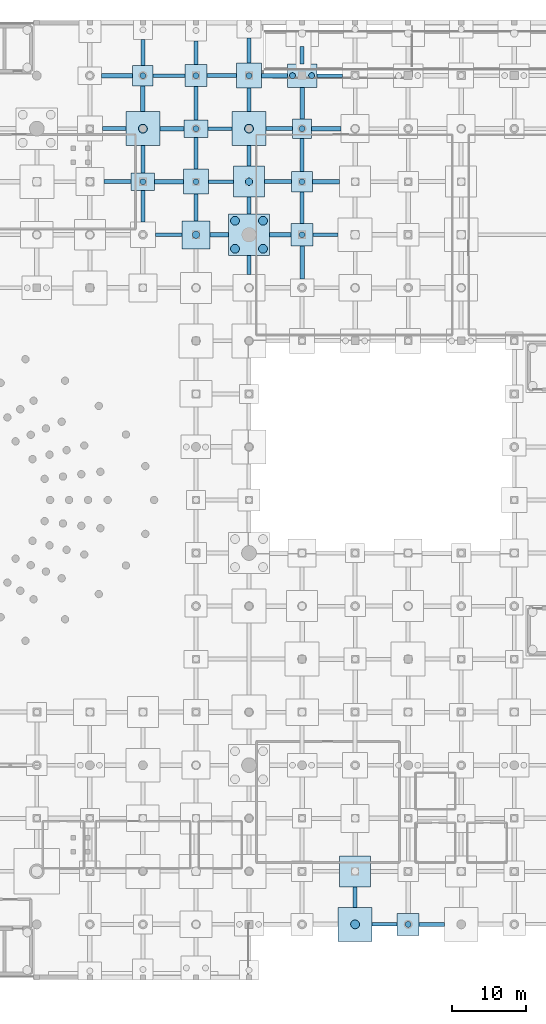
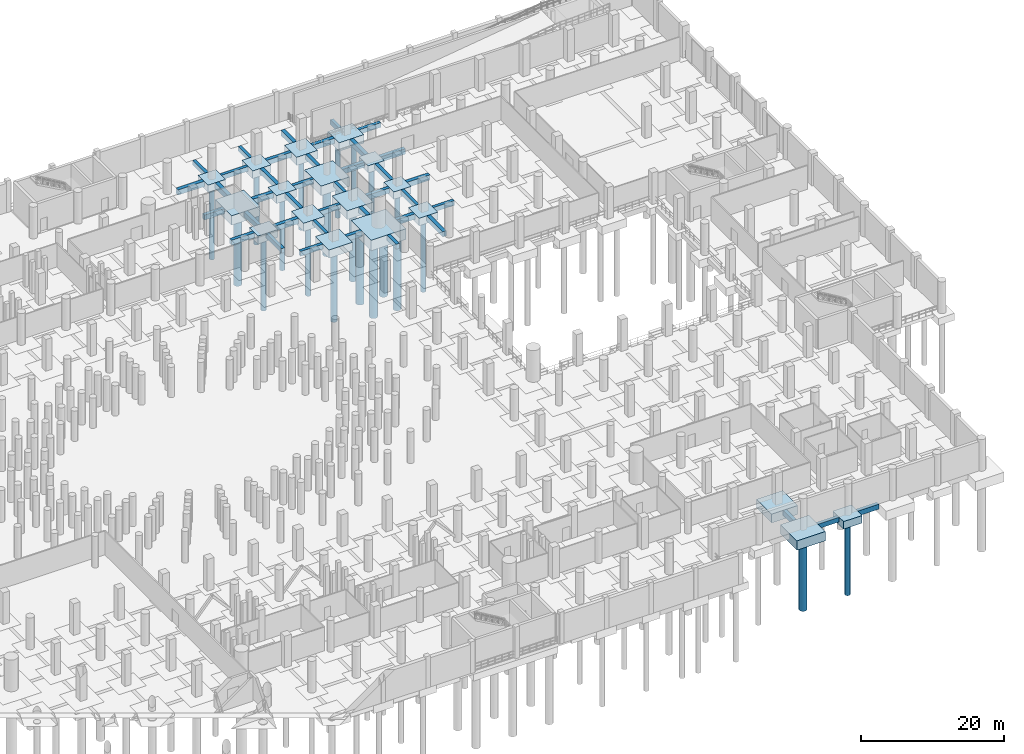
# One storey, part 11 of 37: 58 footings, 21 piles.
"""IFC4 building model written with IfcOpenShell, lengths in metres."""

from ifc_helpers import new_model, si_unit, direction, frame, origin, origin_2d, place, context, subcontext, project, spatial, rectangle, circle, extrude, material, material_profile, profile_set, type_object, element, save


model = new_model("IFC4")

# Units and contexts
model_context = context("Model", 3, precision=1e-05, world=origin(), true_north=direction((0.0, 1.0)))
body_context = subcontext(model_context, "Body", "Model", "MODEL_VIEW")
ifc_project = project(units=[si_unit("LENGTHUNIT", "METRE"), si_unit("AREAUNIT", "SQUARE_METRE"), si_unit("VOLUMEUNIT", "CUBIC_METRE"), si_unit("PLANEANGLEUNIT", "RADIAN"), si_unit("MASSUNIT", "GRAM", prefix="KILO")], contexts=[model_context])

# Site, building, storey
site_placement = place(None, origin())
site = spatial("IfcSite", under=ifc_project, at=site_placement, CompositionType="ELEMENT")
building_placement = place(site_placement, origin())
building = spatial("IfcBuilding", under=site, at=building_placement, Name="Qandorah Velis Arena", CompositionType="ELEMENT")
storey_placement = place(building_placement, frame((0.0, 0.0, -5.39990234375)))
storey = spatial("IfcBuildingStorey", under=building, at=storey_placement, Name="B1", CompositionType="ELEMENT", Elevation=-5.39990234375)

# Footings
ifc_material = material(Name="Concrete C40/50", Category="concrete")
footing_type_1 = type_object("IfcFootingType", Name="STR-CAP-PC10", PredefinedType="PILE_CAP", material=ifc_material)
footing_1_placement = place(storey_placement, frame((122.39990234375, 115.199951171875, -1.2001953125), z_axis=(0.0, 0.0, 1.0), x_axis=(1.0, 0.0, 0.0)))
element("IfcFooting", 1, at=footing_1_placement, inside=storey, type_object=footing_type_1, Name="Pile cap CAP-B1-257", PredefinedType="PILE_CAP", context=body_context, shape_type="SweptSolid", body=[
    extrude(rectangle(XDim=2.60009765625, YDim=2.60009765625, at=origin_2d()), origin(), (0.0, 0.0, 1.0), 1.199951171875),
])
footing_type_2 = type_object("IfcFootingType", Name="STR-CAP-PC14", PredefinedType="PILE_CAP", material=ifc_material)
footing_2_placement = place(storey_placement, frame((122.39990234375, 122.39990234375, -1.4501953125), z_axis=(0.0, 0.0, 1.0), x_axis=(1.0, 0.0, 0.0)))
element("IfcFooting", 2, at=footing_2_placement, inside=storey, type_object=footing_type_2, Name="Pile cap CAP-B1-258", PredefinedType="PILE_CAP", context=body_context, shape_type="SweptSolid", body=[
    extrude(rectangle(XDim=4.0, YDim=3.199951171875, at=origin_2d()), origin(), (0.0, 0.0, 1.0), 1.449951171875),
])
footing_type_3 = type_object("IfcFootingType", Name="STR-CAP-PC2", PredefinedType="PILE_CAP", material=ifc_material)
footing_3_placement = place(storey_placement, frame((115.199951171875, 100.800048828125, -1.80029296875), z_axis=(0.0, 0.0, 1.0), x_axis=(1.0, 0.0, 0.0)))
element("IfcFooting", 3, at=footing_3_placement, inside=storey, type_object=footing_type_3, Name="Pile cap CAP-B1-240", PredefinedType="PILE_CAP", context=body_context, shape_type="SweptSolid", body=[
    extrude(rectangle(XDim=5.60009765625, YDim=5.60009765625, at=origin_2d()), origin(), (0.0, 0.0, 1.0), 1.800048828125),
])
footing_type_4 = type_object("IfcFootingType", Name="STR-CAP-PC3", PredefinedType="PILE_CAP", material=ifc_material)
for number, where, z_axis, x_axis, name in (
    (4, (100.800048828125, 115.199951171875, -1.60009765625), (0.0, 0.0, 1.0), (1.0, 0.0, 0.0), "Pile cap CAP-B1-205"),
    (5, (115.199951171875, 115.199951171875, -1.60009765625), (0.0, 0.0, 1.0), (1.0, 0.0, 0.0), "Pile cap CAP-B1-242"),
    (6, (129.60009765625, 7.199951171875, -1.60009765625), (0.0, 0.0, 1.0), (1.0, 0.0, 0.0), "Pile cap CAP-B1-260"),
):
    element("IfcFooting", number, at=place(storey_placement, frame(where, z_axis=z_axis, x_axis=x_axis)), inside=storey, type_object=footing_type_4, Name=name, PredefinedType="PILE_CAP", context=body_context, shape_type="SweptSolid", body=[
        extrude(rectangle(XDim=4.60009765625, YDim=4.60009765625, at=origin_2d()), origin(), (0.0, 0.0, 1.0), 1.60009765625),
    ])
footing_type_5 = type_object("IfcFootingType", Name="STR-CAP-PC4", PredefinedType="PILE_CAP", material=ifc_material)
for number, where, z_axis, x_axis, name in (
    (7, (115.199951171875, 108.0, -1.5), (0.0, 0.0, 1.0), (1.0, 0.0, 0.0), "Pile cap CAP-B1-241"),
    (8, (129.60009765625, 14.39990234375, -1.5), (0.0, 0.0, 1.0), (1.0, 0.0, 0.0), "Pile cap CAP-B1-261"),
):
    element("IfcFooting", number, at=place(storey_placement, frame(where, z_axis=z_axis, x_axis=x_axis)), inside=storey, type_object=footing_type_5, Name=name, PredefinedType="PILE_CAP", context=body_context, shape_type="SweptSolid", body=[
        extrude(rectangle(XDim=4.199951171875, YDim=4.199951171875, at=origin_2d()), origin(), (0.0, 0.0, 1.0), 1.5),
    ])
footing_type_6 = type_object("IfcFootingType", Name="STR-CAP-PC5", PredefinedType="PILE_CAP", material=ifc_material)
footing_4_placement = place(storey_placement, frame((108.0, 100.800048828125, -1.400146484375), z_axis=(0.0, 0.0, 1.0), x_axis=(1.0, 0.0, 0.0)))
element("IfcFooting", 9, at=footing_4_placement, inside=storey, type_object=footing_type_6, Name="Pile cap CAP-B1-222", PredefinedType="PILE_CAP", context=body_context, shape_type="SweptSolid", body=[
    extrude(rectangle(XDim=3.800048828125, YDim=3.800048828125, at=origin_2d()), origin(), (0.0, 0.0, 1.0), 1.39990234375),
])
footing_type_7 = type_object("IfcFootingType", Name="STR-CAP-PC6", PredefinedType="PILE_CAP", material=ifc_material)
for number, where, z_axis, x_axis, name in (
    (10, (108.0, 108.0, -1.400146484375), (0.0, 0.0, 1.0), (1.0, 0.0, 0.0), "Pile cap CAP-B1-223"),
    (11, (115.199951171875, 122.39990234375, -1.400146484375), (0.0, 0.0, 1.0), (1.0, 0.0, 0.0), "Pile cap CAP-B1-243"),
):
    element("IfcFooting", number, at=place(storey_placement, frame(where, z_axis=z_axis, x_axis=x_axis)), inside=storey, type_object=footing_type_7, Name=name, PredefinedType="PILE_CAP", context=body_context, shape_type="SweptSolid", body=[
        extrude(rectangle(XDim=3.39990234375, YDim=3.39990234375, at=origin_2d()), origin(), (0.0, 0.0, 1.0), 1.39990234375),
    ])
footing_type_8 = type_object("IfcFootingType", Name="STR-CAP-PC7", PredefinedType="PILE_CAP", material=ifc_material)
for number, where, z_axis, x_axis, name in (
    (12, (100.800048828125, 108.0, -1.35009765625), (0.0, 0.0, 1.0), (1.0, 0.0, 0.0), "Pile cap CAP-B1-204"),
    (13, (108.0, 115.199951171875, -1.35009765625), (0.0, 0.0, 1.0), (1.0, 0.0, 0.0), "Pile cap CAP-B1-224"),
):
    element("IfcFooting", number, at=place(storey_placement, frame(where, z_axis=z_axis, x_axis=x_axis)), inside=storey, type_object=footing_type_8, Name=name, PredefinedType="PILE_CAP", context=body_context, shape_type="SweptSolid", body=[
        extrude(rectangle(XDim=3.199951171875, YDim=2.39990234375, at=origin_2d()), origin(), (0.0, 0.0, 1.0), 1.35009765625),
    ])
footing_type_9 = type_object("IfcFootingType", Name="STR-CAP-PC8", PredefinedType="PILE_CAP", material=ifc_material)
for number, where, z_axis, x_axis, name in (
    (14, (108.0, 122.39990234375, -1.30029296875), (0.0, 0.0, 1.0), (1.0, 0.0, 0.0), "Pile cap CAP-B1-225"),
    (15, (122.39990234375, 100.800048828125, -1.30029296875), (0.0, 0.0, 1.0), (1.0, 0.0, 0.0), "Pile cap CAP-B1-255"),
    (16, (136.800048828125, 7.199951171875, -1.30029296875), (0.0, 0.0, 1.0), (1.0, 0.0, 0.0), "Pile cap CAP-B1-275"),
):
    element("IfcFooting", number, at=place(storey_placement, frame(where, z_axis=z_axis, x_axis=x_axis)), inside=storey, type_object=footing_type_9, Name=name, PredefinedType="PILE_CAP", context=body_context, shape_type="SweptSolid", body=[
        extrude(rectangle(XDim=3.0, YDim=3.0, at=origin_2d()), origin(), (0.0, 0.0, 1.0), 1.300048828125),
    ])
footing_type_10 = type_object("IfcFootingType", Name="STR-CAP-PC9", PredefinedType="PILE_CAP", material=ifc_material)
for number, where, z_axis, x_axis, name in (
    (17, (100.800048828125, 122.39990234375, -1.25), (0.0, 0.0, 1.0), (1.0, 0.0, 0.0), "Pile cap CAP-B1-206"),
    (18, (122.39990234375, 108.0, -1.25), (0.0, 0.0, 1.0), (1.0, 0.0, 0.0), "Pile cap CAP-B1-256"),
):
    element("IfcFooting", number, at=place(storey_placement, frame(where, z_axis=z_axis, x_axis=x_axis)), inside=storey, type_object=footing_type_10, Name=name, PredefinedType="PILE_CAP", context=body_context, shape_type="SweptSolid", body=[
        extrude(rectangle(XDim=2.800048828125, YDim=2.800048828125, at=origin_2d()), origin(), (0.0, 0.0, 1.0), 1.25),
    ])
ifc_material_profile_1 = material_profile(ifc_material, rectangle(XDim=0.60009765625, YDim=0.89990234375, at=origin_2d()), Name="GB1 600x900")
ifc_profile_set_1 = profile_set([ifc_material_profile_1], Name="Concrete C40/50")
footing_type_11 = type_object("IfcFootingType", Name="STR-GB-FB1", PredefinedType="FOOTING_BEAM", material=ifc_profile_set_1)
footing_5_placement = place(storey_placement, frame((100.800048828125, 117.5, -0.4501953125), z_axis=(0.0, 1.0, 0.0), x_axis=(-1.0, 0.0, 0.0)))
element("IfcFooting", 19, at=footing_5_placement, inside=storey, type_object=footing_type_11, Name="Ground tie beam GB-141", PredefinedType="FOOTING_BEAM", context=body_context, shape_type="SweptSolid", body=[
    extrude(rectangle(XDim=0.60009765625, YDim=0.89990234375, at=origin_2d()), origin(), (0.0, 0.0, 1.0), 3.5),
])
footing_6_placement = place(storey_placement, frame((108.0, 116.39990234375, -0.4501953125), z_axis=(0.0, 1.0, 0.0), x_axis=(-1.0, 0.0, 0.0)))
element("IfcFooting", 20, at=footing_6_placement, inside=storey, type_object=footing_type_11, Name="Ground tie beam GB-159", PredefinedType="FOOTING_BEAM", context=body_context, shape_type="SweptSolid", body=[
    extrude(rectangle(XDim=0.60009765625, YDim=0.89990234375, at=origin_2d()), origin(), (0.0, 0.0, 1.0), 4.5),
])
footing_7_placement = place(storey_placement, frame((115.199951171875, 103.60009765625, -0.4501953125), z_axis=(0.0, 1.0, 0.0), x_axis=(-1.0, 0.0, 0.0)))
element("IfcFooting", 21, at=footing_7_placement, inside=storey, type_object=footing_type_11, Name="Ground tie beam GB-174", PredefinedType="FOOTING_BEAM", context=body_context, shape_type="SweptSolid", body=[
    extrude(rectangle(XDim=0.60009765625, YDim=0.89990234375, at=origin_2d()), origin(), (0.0, 0.0, 1.0), 2.2998046875),
])
footing_8_placement = place(storey_placement, frame((115.199951171875, 124.10009765625, -0.4501953125), z_axis=(0.0, 1.0, 0.0), x_axis=(-1.0, 0.0, 0.0)))
element("IfcFooting", 22, at=footing_8_placement, inside=storey, type_object=footing_type_11, Name="Ground tie beam GB-177", PredefinedType="FOOTING_BEAM", context=body_context, shape_type="SweptSolid", body=[
    extrude(rectangle(XDim=0.60009765625, YDim=0.89990234375, at=origin_2d()), origin(), (0.0, 0.0, 1.0), 3.419921875),
])
footing_9_placement = place(storey_placement, frame((122.39990234375, 94.800048828125, -0.4501953125), z_axis=(0.0, 1.0, 0.0), x_axis=(-1.0, 0.0, 0.0)))
element("IfcFooting", 23, at=footing_9_placement, inside=storey, type_object=footing_type_11, Name="Ground tie beam GB-186", PredefinedType="FOOTING_BEAM", context=body_context, shape_type="SweptSolid", body=[
    extrude(rectangle(XDim=0.60009765625, YDim=0.89990234375, at=origin_2d()), origin(), (0.0, 0.0, 1.0), 4.5),
])
footing_10_placement = place(storey_placement, frame((122.39990234375, 116.5, -0.4501953125), z_axis=(0.0, 1.0, 0.0), x_axis=(-1.0, 0.0, 0.0)))
element("IfcFooting", 24, at=footing_10_placement, inside=storey, type_object=footing_type_11, Name="Ground tie beam GB-189", PredefinedType="FOOTING_BEAM", context=body_context, shape_type="SweptSolid", body=[
    extrude(rectangle(XDim=0.60009765625, YDim=0.89990234375, at=origin_2d()), origin(), (0.0, 0.0, 1.0), 4.300048828125),
])
footing_11_placement = place(storey_placement, frame((118.0, 100.800048828125, -0.4501953125), z_axis=(1.0, 0.0, 0.0), x_axis=(0.0, 1.0, 0.0)))
element("IfcFooting", 25, at=footing_11_placement, inside=storey, type_object=footing_type_11, Name="Ground tie beam GB-462", PredefinedType="FOOTING_BEAM", context=body_context, shape_type="SweptSolid", body=[
    extrude(rectangle(XDim=0.60009765625, YDim=0.89990234375, at=origin_2d()), origin(), (0.0, 0.0, 1.0), 2.89990234375),
])
footing_12_placement = place(storey_placement, frame((102.39990234375, 108.0, -0.4501953125), z_axis=(1.0, 0.0, 0.0), x_axis=(0.0, 1.0, 0.0)))
element("IfcFooting", 26, at=footing_12_placement, inside=storey, type_object=footing_type_11, Name="Ground tie beam GB-483", PredefinedType="FOOTING_BEAM", context=body_context, shape_type="SweptSolid", body=[
    extrude(rectangle(XDim=0.60009765625, YDim=0.89990234375, at=origin_2d()), origin(), (0.0, 0.0, 1.0), 3.900146484375),
])
footing_13_placement = place(storey_placement, frame((123.800048828125, 108.0, -0.4501953125), z_axis=(1.0, 0.0, 0.0), x_axis=(0.0, 1.0, 0.0)))
element("IfcFooting", 27, at=footing_13_placement, inside=storey, type_object=footing_type_11, Name="Ground tie beam GB-486", PredefinedType="FOOTING_BEAM", context=body_context, shape_type="SweptSolid", body=[
    extrude(rectangle(XDim=0.60009765625, YDim=0.89990234375, at=origin_2d()), origin(), (0.0, 0.0, 1.0), 3.699951171875),
])
footing_14_placement = place(storey_placement, frame((103.10009765625, 115.199951171875, -0.4501953125), z_axis=(1.0, 0.0, 0.0), x_axis=(0.0, 1.0, 0.0)))
element("IfcFooting", 28, at=footing_14_placement, inside=storey, type_object=footing_type_11, Name="Ground tie beam GB-504", PredefinedType="FOOTING_BEAM", context=body_context, shape_type="SweptSolid", body=[
    extrude(rectangle(XDim=0.60009765625, YDim=0.89990234375, at=origin_2d()), origin(), (0.0, 0.0, 1.0), 3.2998046875),
])
footing_15_placement = place(storey_placement, frame((123.699951171875, 115.199951171875, -0.4501953125), z_axis=(1.0, 0.0, 0.0), x_axis=(0.0, 1.0, 0.0)))
element("IfcFooting", 29, at=footing_15_placement, inside=storey, type_object=footing_type_11, Name="Ground tie beam GB-507", PredefinedType="FOOTING_BEAM", context=body_context, shape_type="SweptSolid", body=[
    extrude(rectangle(XDim=0.60009765625, YDim=0.89990234375, at=origin_2d()), origin(), (0.0, 0.0, 1.0), 4.0),
])
footing_16_placement = place(storey_placement, frame((95.199951171875, 122.39990234375, -0.4501953125), z_axis=(1.0, 0.0, 0.0), x_axis=(0.0, 1.0, 0.0)))
element("IfcFooting", 30, at=footing_16_placement, inside=storey, type_object=footing_type_11, Name="Ground tie beam GB-519", PredefinedType="FOOTING_BEAM", context=body_context, shape_type="SweptSolid", body=[
    extrude(rectangle(XDim=0.60009765625, YDim=0.89990234375, at=origin_2d()), origin(), (0.0, 0.0, 1.0), 4.199951171875),
])
footing_17_placement = place(storey_placement, frame((116.89990234375, 122.39990234375, -0.4501953125), z_axis=(1.0, 0.0, 0.0), x_axis=(0.0, 1.0, 0.0)))
element("IfcFooting", 31, at=footing_17_placement, inside=storey, type_object=footing_type_11, Name="Ground tie beam GB-522", PredefinedType="FOOTING_BEAM", context=body_context, shape_type="SweptSolid", body=[
    extrude(rectangle(XDim=0.60009765625, YDim=0.89990234375, at=origin_2d()), origin(), (0.0, 0.0, 1.0), 3.5),
])
ifc_material_profile_2 = material_profile(ifc_material, rectangle(XDim=0.5, YDim=0.800048828125, at=origin_2d()), Name="GB2 500x800")
ifc_profile_set_2 = profile_set([ifc_material_profile_2], Name="Concrete C40/50")
footing_type_12 = type_object("IfcFootingType", Name="STR-GB-FB2", PredefinedType="FOOTING_BEAM", material=ifc_profile_set_2)
footing_18_placement = place(storey_placement, frame((100.800048828125, 102.5, -0.400146484375), z_axis=(0.0, 1.0, 0.0), x_axis=(-1.0, 0.0, 0.0)))
element("IfcFooting", 32, at=footing_18_placement, inside=storey, type_object=footing_type_12, Name="Ground tie beam GB-139", PredefinedType="FOOTING_BEAM", context=body_context, shape_type="SweptSolid", body=[
    extrude(rectangle(XDim=0.5, YDim=0.800048828125, at=origin_2d()), origin(), (0.0, 0.0, 1.0), 4.300048828125),
])
footing_19_placement = place(storey_placement, frame((100.800048828125, 123.800048828125, -0.400146484375), z_axis=(0.0, 1.0, 0.0), x_axis=(-1.0, 0.0, 0.0)))
element("IfcFooting", 33, at=footing_19_placement, inside=storey, type_object=footing_type_12, Name="Ground tie beam GB-142", PredefinedType="FOOTING_BEAM", context=body_context, shape_type="SweptSolid", body=[
    extrude(rectangle(XDim=0.5, YDim=0.800048828125, at=origin_2d()), origin(), (0.0, 0.0, 1.0), 3.52001953125),
])
footing_20_placement = place(storey_placement, frame((108.0, 102.699951171875, -0.400146484375), z_axis=(0.0, 1.0, 0.0), x_axis=(-1.0, 0.0, 0.0)))
element("IfcFooting", 34, at=footing_20_placement, inside=storey, type_object=footing_type_12, Name="Ground tie beam GB-157", PredefinedType="FOOTING_BEAM", context=body_context, shape_type="SweptSolid", body=[
    extrude(rectangle(XDim=0.5, YDim=0.800048828125, at=origin_2d()), origin(), (0.0, 0.0, 1.0), 3.60009765625),
])
footing_21_placement = place(storey_placement, frame((108.0, 123.89990234375, -0.400146484375), z_axis=(0.0, 1.0, 0.0), x_axis=(-1.0, 0.0, 0.0)))
element("IfcFooting", 35, at=footing_21_placement, inside=storey, type_object=footing_type_12, Name="Ground tie beam GB-160", PredefinedType="FOOTING_BEAM", context=body_context, shape_type="SweptSolid", body=[
    extrude(rectangle(XDim=0.5, YDim=0.800048828125, at=origin_2d()), origin(), (0.0, 0.0, 1.0), 3.22021484375),
])
footing_22_placement = place(storey_placement, frame((115.199951171875, 110.10009765625, -0.400146484375), z_axis=(0.0, 1.0, 0.0), x_axis=(-1.0, 0.0, 0.0)))
element("IfcFooting", 36, at=footing_22_placement, inside=storey, type_object=footing_type_12, Name="Ground tie beam GB-175", PredefinedType="FOOTING_BEAM", context=body_context, shape_type="SweptSolid", body=[
    extrude(rectangle(XDim=0.5, YDim=0.800048828125, at=origin_2d()), origin(), (0.0, 0.0, 1.0), 2.7998046875),
])
footing_23_placement = place(storey_placement, frame((122.39990234375, 102.300048828125, -0.400146484375), z_axis=(0.0, 1.0, 0.0), x_axis=(-1.0, 0.0, 0.0)))
element("IfcFooting", 37, at=footing_23_placement, inside=storey, type_object=footing_type_12, Name="Ground tie beam GB-187", PredefinedType="FOOTING_BEAM", context=body_context, shape_type="SweptSolid", body=[
    extrude(rectangle(XDim=0.5, YDim=0.800048828125, at=origin_2d()), origin(), (0.0, 0.0, 1.0), 4.300048828125),
])
footing_24_placement = place(storey_placement, frame((122.39990234375, 124.0, -0.400146484375), z_axis=(0.0, 1.0, 0.0), x_axis=(-1.0, 0.0, 0.0)))
element("IfcFooting", 38, at=footing_24_placement, inside=storey, type_object=footing_type_12, Name="Ground tie beam GB-190", PredefinedType="FOOTING_BEAM", context=body_context, shape_type="SweptSolid", body=[
    extrude(rectangle(XDim=0.5, YDim=0.800048828125, at=origin_2d()), origin(), (0.0, 0.0, 1.0), 2.320068359375),
])
footing_25_placement = place(storey_placement, frame((131.89990234375, 7.199951171875, -0.400146484375), z_axis=(1.0, 0.0, 0.0), x_axis=(0.0, 1.0, 0.0)))
element("IfcFooting", 39, at=footing_25_placement, inside=storey, type_object=footing_type_12, Name="Ground tie beam GB-289", PredefinedType="FOOTING_BEAM", context=body_context, shape_type="SweptSolid", body=[
    extrude(rectangle(XDim=0.5, YDim=0.800048828125, at=origin_2d()), origin(), (0.0, 0.0, 1.0), 3.400146484375),
])
footing_26_placement = place(storey_placement, frame((102.5, 100.800048828125, -0.400146484375), z_axis=(1.0, 0.0, 0.0), x_axis=(0.0, 1.0, 0.0)))
element("IfcFooting", 40, at=footing_26_placement, inside=storey, type_object=footing_type_12, Name="Ground tie beam GB-460", PredefinedType="FOOTING_BEAM", context=body_context, shape_type="SweptSolid", body=[
    extrude(rectangle(XDim=0.5, YDim=0.800048828125, at=origin_2d()), origin(), (0.0, 0.0, 1.0), 3.60009765625),
])
for number, where, z_axis, x_axis, name in (
    (41, (123.89990234375, 100.800048828125, -0.400146484375), (1.0, 0.0, 0.0), (0.0, 1.0, 0.0), "Ground tie beam GB-463"),
    (42, (109.699951171875, 108.0, -0.400146484375), (1.0, 0.0, 0.0), (0.0, 1.0, 0.0), "Ground tie beam GB-484"),
):
    element("IfcFooting", number, at=place(storey_placement, frame(where, z_axis=z_axis, x_axis=x_axis)), inside=storey, type_object=footing_type_12, Name=name, PredefinedType="FOOTING_BEAM", context=body_context, shape_type="SweptSolid", body=[
        extrude(rectangle(XDim=0.5, YDim=0.800048828125, at=origin_2d()), origin(), (0.0, 0.0, 1.0), 3.400146484375),
    ])
footing_27_placement = place(storey_placement, frame((109.60009765625, 115.199951171875, -0.400146484375), z_axis=(1.0, 0.0, 0.0), x_axis=(0.0, 1.0, 0.0)))
element("IfcFooting", 43, at=footing_27_placement, inside=storey, type_object=footing_type_12, Name="Ground tie beam GB-505", PredefinedType="FOOTING_BEAM", context=body_context, shape_type="SweptSolid", body=[
    extrude(rectangle(XDim=0.5, YDim=0.800048828125, at=origin_2d()), origin(), (0.0, 0.0, 1.0), 3.2998046875),
])
footing_28_placement = place(storey_placement, frame((102.199951171875, 122.39990234375, -0.400146484375), z_axis=(1.0, 0.0, 0.0), x_axis=(0.0, 1.0, 0.0)))
element("IfcFooting", 44, at=footing_28_placement, inside=storey, type_object=footing_type_12, Name="Ground tie beam GB-520", PredefinedType="FOOTING_BEAM", context=body_context, shape_type="SweptSolid", body=[
    extrude(rectangle(XDim=0.5, YDim=0.800048828125, at=origin_2d()), origin(), (0.0, 0.0, 1.0), 4.300048828125),
])
footing_29_placement = place(storey_placement, frame((124.39990234375, 122.39990234375, -0.400146484375), z_axis=(1.0, 0.0, 0.0), x_axis=(0.0, 1.0, 0.0)))
element("IfcFooting", 45, at=footing_29_placement, inside=storey, type_object=footing_type_12, Name="Ground tie beam GB-523", PredefinedType="FOOTING_BEAM", context=body_context, shape_type="SweptSolid", body=[
    extrude(rectangle(XDim=0.5, YDim=0.800048828125, at=origin_2d()), origin(), (0.0, 0.0, 1.0), 3.5),
])
ifc_material_profile_3 = material_profile(ifc_material, rectangle(XDim=0.550048828125, YDim=0.85009765625, at=origin_2d()), Name="GB3 550x850")
ifc_profile_set_3 = profile_set([ifc_material_profile_3], Name="Concrete C40/50")
footing_type_13 = type_object("IfcFootingType", Name="STR-GB-FB3", PredefinedType="FOOTING_BEAM", material=ifc_profile_set_3)
footing_30_placement = place(storey_placement, frame((100.800048828125, 109.199951171875, -0.425048828125), z_axis=(0.0, 1.0, 0.0), x_axis=(-1.0, 0.0, 0.0)))
element("IfcFooting", 46, at=footing_30_placement, inside=storey, type_object=footing_type_13, Name="Ground tie beam GB-140", PredefinedType="FOOTING_BEAM", context=body_context, shape_type="SweptSolid", body=[
    extrude(rectangle(XDim=0.550048828125, YDim=0.85009765625, at=origin_2d()), origin(), (0.0, 0.0, 1.0), 3.699951171875),
])
footing_31_placement = place(storey_placement, frame((108.0, 109.699951171875, -0.425048828125), z_axis=(0.0, 1.0, 0.0), x_axis=(-1.0, 0.0, 0.0)))
element("IfcFooting", 47, at=footing_31_placement, inside=storey, type_object=footing_type_13, Name="Ground tie beam GB-158", PredefinedType="FOOTING_BEAM", context=body_context, shape_type="SweptSolid", body=[
    extrude(rectangle(XDim=0.550048828125, YDim=0.85009765625, at=origin_2d()), origin(), (0.0, 0.0, 1.0), 4.300048828125),
])
footing_32_placement = place(storey_placement, frame((115.199951171875, 95.39990234375, -0.425048828125), z_axis=(0.0, 1.0, 0.0), x_axis=(-1.0, 0.0, 0.0)))
element("IfcFooting", 48, at=footing_32_placement, inside=storey, type_object=footing_type_13, Name="Ground tie beam GB-173", PredefinedType="FOOTING_BEAM", context=body_context, shape_type="SweptSolid", body=[
    extrude(rectangle(XDim=0.550048828125, YDim=0.85009765625, at=origin_2d()), origin(), (0.0, 0.0, 1.0), 2.60009765625),
])
footing_33_placement = place(storey_placement, frame((115.199951171875, 117.5, -0.425048828125), z_axis=(0.0, 1.0, 0.0), x_axis=(-1.0, 0.0, 0.0)))
element("IfcFooting", 49, at=footing_33_placement, inside=storey, type_object=footing_type_13, Name="Ground tie beam GB-176", PredefinedType="FOOTING_BEAM", context=body_context, shape_type="SweptSolid", body=[
    extrude(rectangle(XDim=0.550048828125, YDim=0.85009765625, at=origin_2d()), origin(), (0.0, 0.0, 1.0), 3.199951171875),
])
footing_34_placement = place(storey_placement, frame((122.39990234375, 109.39990234375, -0.425048828125), z_axis=(0.0, 1.0, 0.0), x_axis=(-1.0, 0.0, 0.0)))
element("IfcFooting", 50, at=footing_34_placement, inside=storey, type_object=footing_type_13, Name="Ground tie beam GB-188", PredefinedType="FOOTING_BEAM", context=body_context, shape_type="SweptSolid", body=[
    extrude(rectangle(XDim=0.550048828125, YDim=0.85009765625, at=origin_2d()), origin(), (0.0, 0.0, 1.0), 4.5),
])
footing_35_placement = place(storey_placement, frame((129.60009765625, 9.5, -0.425048828125), z_axis=(0.0, 1.0, 0.0), x_axis=(-1.0, 0.0, 0.0)))
element("IfcFooting", 51, at=footing_35_placement, inside=storey, type_object=footing_type_13, Name="Ground tie beam GB-191", PredefinedType="FOOTING_BEAM", context=body_context, shape_type="SweptSolid", body=[
    extrude(rectangle(XDim=0.550048828125, YDim=0.85009765625, at=origin_2d()), origin(), (0.0, 0.0, 1.0), 2.800048828125),
])
footing_36_placement = place(storey_placement, frame((138.300048828125, 7.199951171875, -0.425048828125), z_axis=(1.0, 0.0, 0.0), x_axis=(0.0, 1.0, 0.0)))
element("IfcFooting", 52, at=footing_36_placement, inside=storey, type_object=footing_type_13, Name="Ground tie beam GB-290", PredefinedType="FOOTING_BEAM", context=body_context, shape_type="SweptSolid", body=[
    extrude(rectangle(XDim=0.550048828125, YDim=0.85009765625, at=origin_2d()), origin(), (0.0, 0.0, 1.0), 3.39990234375),
])
footing_37_placement = place(storey_placement, frame((109.89990234375, 100.800048828125, -0.425048828125), z_axis=(1.0, 0.0, 0.0), x_axis=(0.0, 1.0, 0.0)))
element("IfcFooting", 53, at=footing_37_placement, inside=storey, type_object=footing_type_13, Name="Ground tie beam GB-461", PredefinedType="FOOTING_BEAM", context=body_context, shape_type="SweptSolid", body=[
    extrude(rectangle(XDim=0.550048828125, YDim=0.85009765625, at=origin_2d()), origin(), (0.0, 0.0, 1.0), 2.5),
])
for number, where, z_axis, x_axis, name in (
    (54, (95.5, 108.0, -0.425048828125), (1.0, 0.0, 0.0), (0.0, 1.0, 0.0), "Ground tie beam GB-482"),
    (55, (117.300048828125, 108.0, -0.425048828125), (1.0, 0.0, 0.0), (0.0, 1.0, 0.0), "Ground tie beam GB-485"),
):
    element("IfcFooting", number, at=place(storey_placement, frame(where, z_axis=z_axis, x_axis=x_axis)), inside=storey, type_object=footing_type_13, Name=name, PredefinedType="FOOTING_BEAM", context=body_context, shape_type="SweptSolid", body=[
        extrude(rectangle(XDim=0.550048828125, YDim=0.85009765625, at=origin_2d()), origin(), (0.0, 0.0, 1.0), 3.699951171875),
    ])
footing_38_placement = place(storey_placement, frame((95.300048828125, 115.199951171875, -0.425048828125), z_axis=(1.0, 0.0, 0.0), x_axis=(0.0, 1.0, 0.0)))
element("IfcFooting", 56, at=footing_38_placement, inside=storey, type_object=footing_type_13, Name="Ground tie beam GB-503", PredefinedType="FOOTING_BEAM", context=body_context, shape_type="SweptSolid", body=[
    extrude(rectangle(XDim=0.550048828125, YDim=0.85009765625, at=origin_2d()), origin(), (0.0, 0.0, 1.0), 3.199951171875),
])
footing_39_placement = place(storey_placement, frame((117.5, 115.199951171875, -0.425048828125), z_axis=(1.0, 0.0, 0.0), x_axis=(0.0, 1.0, 0.0)))
element("IfcFooting", 57, at=footing_39_placement, inside=storey, type_object=footing_type_13, Name="Ground tie beam GB-506", PredefinedType="FOOTING_BEAM", context=body_context, shape_type="SweptSolid", body=[
    extrude(rectangle(XDim=0.550048828125, YDim=0.85009765625, at=origin_2d()), origin(), (0.0, 0.0, 1.0), 3.60009765625),
])
footing_40_placement = place(storey_placement, frame((109.5, 122.39990234375, -0.425048828125), z_axis=(1.0, 0.0, 0.0), x_axis=(0.0, 1.0, 0.0)))
element("IfcFooting", 58, at=footing_40_placement, inside=storey, type_object=footing_type_13, Name="Ground tie beam GB-521", PredefinedType="FOOTING_BEAM", context=body_context, shape_type="SweptSolid", body=[
    extrude(rectangle(XDim=0.550048828125, YDim=0.85009765625, at=origin_2d()), origin(), (0.0, 0.0, 1.0), 4.0),
])

# Piles
ifc_material_profile_4 = material_profile(ifc_material, circle(Radius=0.5, at=origin_2d()), Name="BORED PILE D1000")
ifc_profile_set_4 = profile_set([ifc_material_profile_4], Name="Concrete C40/50")
pile_type_1 = type_object("IfcPileType", Name="STR-PILE-BP1000", PredefinedType="BORED", material=ifc_profile_set_4)
pile_1_placement = place(storey_placement, frame((108.0, 100.800048828125, -1.300048828125), z_axis=(0.0, 0.0, -1.0), x_axis=(1.0, 0.0, 0.0)))
element("IfcPile", 59, at=pile_1_placement, inside=storey, type_object=pile_type_1, Name="Bored pile PILE-CAP-B1-222-11", PredefinedType="BORED", context=body_context, shape_type="SweptSolid", body=[
    extrude(circle(Radius=0.5, at=origin_2d()), origin(), (0.0, 0.0, 1.0), 12.5),
])
pile_2_placement = place(storey_placement, frame((115.199951171875, 108.0, -1.400146484375), z_axis=(0.0, 0.0, -1.0), x_axis=(1.0, 0.0, 0.0)))
element("IfcPile", 60, at=pile_2_placement, inside=storey, type_object=pile_type_1, Name="Bored pile PILE-CAP-B1-241-11", PredefinedType="BORED", context=body_context, shape_type="SweptSolid", body=[
    extrude(circle(Radius=0.5, at=origin_2d()), origin(), (0.0, 0.0, 1.0), 12.39990234375),
])
ifc_material_profile_5 = material_profile(ifc_material, circle(Radius=0.60009765625, at=origin_2d()), Name="BORED PILE D1200")
ifc_profile_set_5 = profile_set([ifc_material_profile_5], Name="Concrete C40/50")
pile_type_2 = type_object("IfcPileType", Name="STR-PILE-BP1200", PredefinedType="BORED", material=ifc_profile_set_5)
pile_3_placement = place(storey_placement, frame((100.800048828125, 115.199951171875, -1.5), z_axis=(0.0, 0.0, -1.0), x_axis=(1.0, 0.0, 0.0)))
element("IfcPile", 61, at=pile_3_placement, inside=storey, type_object=pile_type_2, Name="Bored pile PILE-CAP-B1-205-11", PredefinedType="BORED", context=body_context, shape_type="SweptSolid", body=[
    extrude(circle(Radius=0.60009765625, at=origin_2d()), origin(), (0.0, 0.0, 1.0), 12.300048828125),
])
for number, where, z_axis, x_axis, name in (
    (62, (113.300048828125, 98.89990234375, -1.7001953125), (0.0, 0.0, -1.0), (1.0, 0.0, 0.0), "Bored pile PILE-CAP-B1-240-11"),
    (63, (113.300048828125, 102.699951171875, -1.7001953125), (0.0, 0.0, -1.0), (1.0, 0.0, 0.0), "Bored pile PILE-CAP-B1-240-12"),
    (64, (117.10009765625, 98.89990234375, -1.7001953125), (0.0, 0.0, -1.0), (1.0, 0.0, 0.0), "Bored pile PILE-CAP-B1-240-21"),
    (65, (117.10009765625, 102.699951171875, -1.7001953125), (0.0, 0.0, -1.0), (1.0, 0.0, 0.0), "Bored pile PILE-CAP-B1-240-22"),
):
    element("IfcPile", number, at=place(storey_placement, frame(where, z_axis=z_axis, x_axis=x_axis)), inside=storey, type_object=pile_type_2, Name=name, PredefinedType="BORED", context=body_context, shape_type="SweptSolid", body=[
        extrude(circle(Radius=0.60009765625, at=origin_2d()), origin(), (0.0, 0.0, 1.0), 12.10009765625),
    ])
for number, where, z_axis, x_axis, name in (
    (66, (115.199951171875, 115.199951171875, -1.5), (0.0, 0.0, -1.0), (1.0, 0.0, 0.0), "Bored pile PILE-CAP-B1-242-11"),
    (67, (129.60009765625, 7.199951171875, -1.5), (0.0, 0.0, -1.0), (1.0, 0.0, 0.0), "Bored pile PILE-CAP-B1-260-11"),
):
    element("IfcPile", number, at=place(storey_placement, frame(where, z_axis=z_axis, x_axis=x_axis)), inside=storey, type_object=pile_type_2, Name=name, PredefinedType="BORED", context=body_context, shape_type="SweptSolid", body=[
        extrude(circle(Radius=0.60009765625, at=origin_2d()), origin(), (0.0, 0.0, 1.0), 12.300048828125),
    ])
ifc_material_profile_6 = material_profile(ifc_material, circle(Radius=0.39990234375, at=origin_2d()), Name="BORED PILE D800")
ifc_profile_set_6 = profile_set([ifc_material_profile_6], Name="Concrete C40/50")
pile_type_3 = type_object("IfcPileType", Name="STR-PILE-BP800", PredefinedType="BORED", material=ifc_profile_set_6)
pile_4_placement = place(storey_placement, frame((100.800048828125, 108.0, -1.25), z_axis=(0.0, 0.0, -1.0), x_axis=(1.0, 0.0, 0.0)))
element("IfcPile", 68, at=pile_4_placement, inside=storey, type_object=pile_type_3, Name="Bored pile PILE-CAP-B1-204-11", PredefinedType="BORED", context=body_context, shape_type="SweptSolid", body=[
    extrude(circle(Radius=0.39990234375, at=origin_2d()), origin(), (0.0, 0.0, 1.0), 12.550048828125),
])
pile_5_placement = place(storey_placement, frame((100.800048828125, 122.39990234375, -1.150146484375), z_axis=(0.0, 0.0, -1.0), x_axis=(1.0, 0.0, 0.0)))
element("IfcPile", 69, at=pile_5_placement, inside=storey, type_object=pile_type_3, Name="Bored pile PILE-CAP-B1-206-11", PredefinedType="BORED", context=body_context, shape_type="SweptSolid", body=[
    extrude(circle(Radius=0.39990234375, at=origin_2d()), origin(), (0.0, 0.0, 1.0), 12.64990234375),
])
pile_6_placement = place(storey_placement, frame((108.0, 108.0, -1.300048828125), z_axis=(0.0, 0.0, -1.0), x_axis=(1.0, 0.0, 0.0)))
element("IfcPile", 70, at=pile_6_placement, inside=storey, type_object=pile_type_3, Name="Bored pile PILE-CAP-B1-223-11", PredefinedType="BORED", context=body_context, shape_type="SweptSolid", body=[
    extrude(circle(Radius=0.39990234375, at=origin_2d()), origin(), (0.0, 0.0, 1.0), 12.5),
])
pile_7_placement = place(storey_placement, frame((108.0, 115.199951171875, -1.25), z_axis=(0.0, 0.0, -1.0), x_axis=(1.0, 0.0, 0.0)))
element("IfcPile", 71, at=pile_7_placement, inside=storey, type_object=pile_type_3, Name="Bored pile PILE-CAP-B1-224-11", PredefinedType="BORED", context=body_context, shape_type="SweptSolid", body=[
    extrude(circle(Radius=0.39990234375, at=origin_2d()), origin(), (0.0, 0.0, 1.0), 12.550048828125),
])
pile_8_placement = place(storey_placement, frame((108.0, 122.39990234375, -1.2001953125), z_axis=(0.0, 0.0, -1.0), x_axis=(1.0, 0.0, 0.0)))
element("IfcPile", 72, at=pile_8_placement, inside=storey, type_object=pile_type_3, Name="Bored pile PILE-CAP-B1-225-11", PredefinedType="BORED", context=body_context, shape_type="SweptSolid", body=[
    extrude(circle(Radius=0.39990234375, at=origin_2d()), origin(), (0.0, 0.0, 1.0), 12.60009765625),
])
pile_9_placement = place(storey_placement, frame((115.199951171875, 122.39990234375, -1.300048828125), z_axis=(0.0, 0.0, -1.0), x_axis=(1.0, 0.0, 0.0)))
element("IfcPile", 73, at=pile_9_placement, inside=storey, type_object=pile_type_3, Name="Bored pile PILE-CAP-B1-243-11", PredefinedType="BORED", context=body_context, shape_type="SweptSolid", body=[
    extrude(circle(Radius=0.39990234375, at=origin_2d()), origin(), (0.0, 0.0, 1.0), 12.5),
])
pile_10_placement = place(storey_placement, frame((122.39990234375, 100.800048828125, -1.2001953125), z_axis=(0.0, 0.0, -1.0), x_axis=(1.0, 0.0, 0.0)))
element("IfcPile", 74, at=pile_10_placement, inside=storey, type_object=pile_type_3, Name="Bored pile PILE-CAP-B1-255-11", PredefinedType="BORED", context=body_context, shape_type="SweptSolid", body=[
    extrude(circle(Radius=0.39990234375, at=origin_2d()), origin(), (0.0, 0.0, 1.0), 12.60009765625),
])
pile_11_placement = place(storey_placement, frame((122.39990234375, 108.0, -1.150146484375), z_axis=(0.0, 0.0, -1.0), x_axis=(1.0, 0.0, 0.0)))
element("IfcPile", 75, at=pile_11_placement, inside=storey, type_object=pile_type_3, Name="Bored pile PILE-CAP-B1-256-11", PredefinedType="BORED", context=body_context, shape_type="SweptSolid", body=[
    extrude(circle(Radius=0.39990234375, at=origin_2d()), origin(), (0.0, 0.0, 1.0), 12.64990234375),
])
pile_12_placement = place(storey_placement, frame((122.39990234375, 115.199951171875, -1.10009765625), z_axis=(0.0, 0.0, -1.0), x_axis=(1.0, 0.0, 0.0)))
element("IfcPile", 76, at=pile_12_placement, inside=storey, type_object=pile_type_3, Name="Bored pile PILE-CAP-B1-257-11", PredefinedType="BORED", context=body_context, shape_type="SweptSolid", body=[
    extrude(circle(Radius=0.39990234375, at=origin_2d()), origin(), (0.0, 0.0, 1.0), 12.699951171875),
])
for number, where, z_axis, x_axis, name in (
    (77, (121.10009765625, 122.39990234375, -1.35009765625), (0.0, 0.0, -1.0), (1.0, 0.0, 0.0), "Bored pile PILE-CAP-B1-258-11"),
    (78, (123.699951171875, 122.39990234375, -1.35009765625), (0.0, 0.0, -1.0), (1.0, 0.0, 0.0), "Bored pile PILE-CAP-B1-258-21"),
):
    element("IfcPile", number, at=place(storey_placement, frame(where, z_axis=z_axis, x_axis=x_axis)), inside=storey, type_object=pile_type_3, Name=name, PredefinedType="BORED", context=body_context, shape_type="SweptSolid", body=[
        extrude(circle(Radius=0.39990234375, at=origin_2d()), origin(), (0.0, 0.0, 1.0), 12.449951171875),
    ])
pile_13_placement = place(storey_placement, frame((136.800048828125, 7.199951171875, -1.2001953125), z_axis=(0.0, 0.0, -1.0), x_axis=(1.0, 0.0, 0.0)))
element("IfcPile", 79, at=pile_13_placement, inside=storey, type_object=pile_type_3, Name="Bored pile PILE-CAP-B1-275-11", PredefinedType="BORED", context=body_context, shape_type="SweptSolid", body=[
    extrude(circle(Radius=0.39990234375, at=origin_2d()), origin(), (0.0, 0.0, 1.0), 12.60009765625),
])

save(model, "model.ifc")
